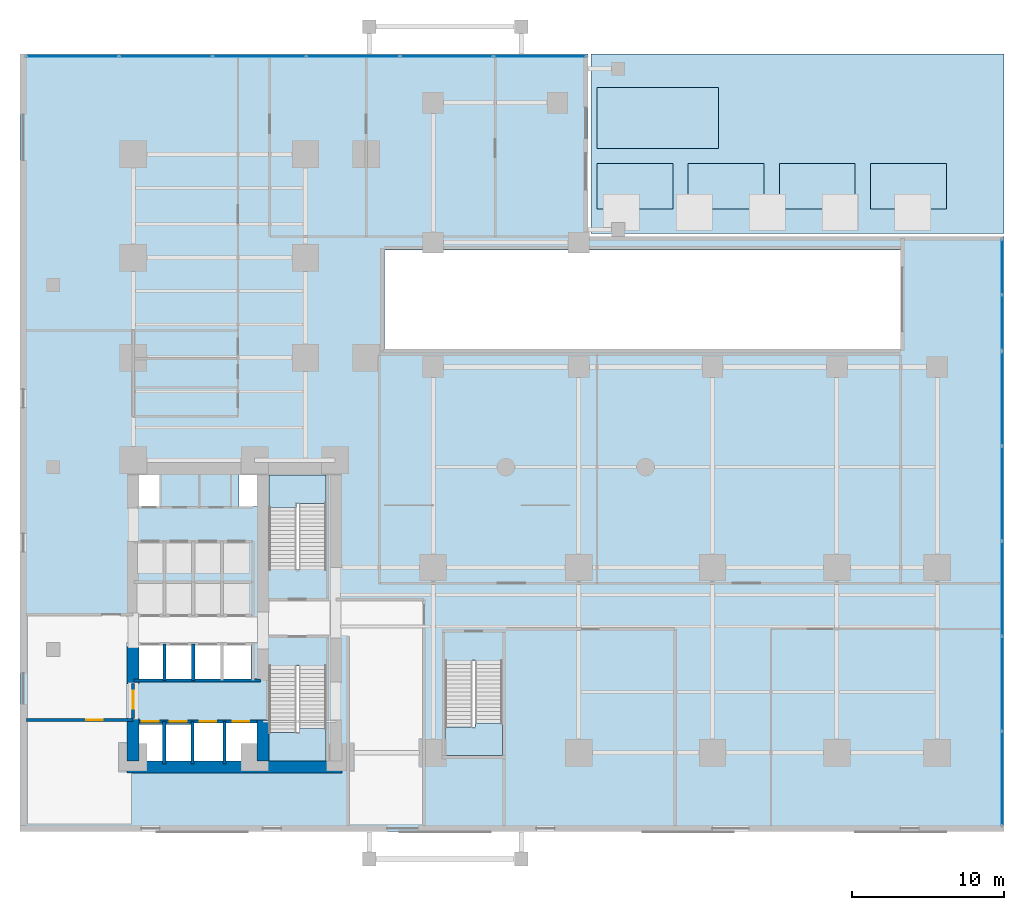
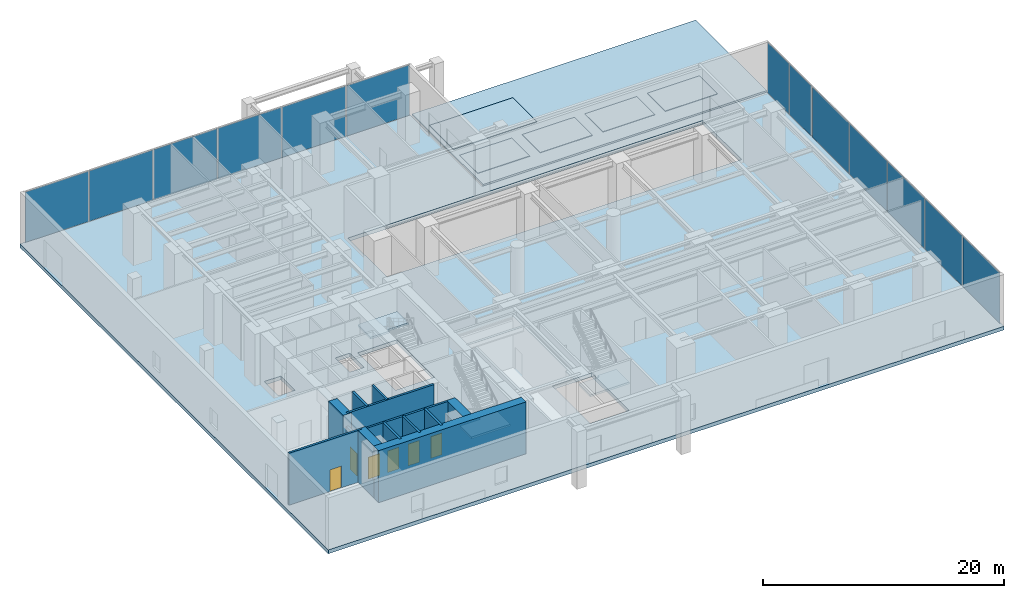
# One storey, part 10 of 17: 13 plates, 13 walls, 10 slabs, 6 doors, 6 openings, 6 elements without a shape of their own.
"""IFC4 building model written with IfcOpenShell, lengths in metres."""

from ifc_helpers import new_model, si_unit, direction, frame, frame_2d, origin, origin_with_axes, origin_2d, place, context, subcontext, project, spatial, polyline, rectangle, outline, extrude, source, transform, mapped, material, layer, layer_set, type_object, element, fill, aggregate, save


model = new_model("IFC4")

# Units and contexts
model_context = context("Model", 3, precision=1e-05, world=origin(), true_north=direction((0.0, 1.0)))
body_context = subcontext(model_context, "Body", "Model", "MODEL_VIEW")
ifc_project = project(units=[si_unit("LENGTHUNIT", "METRE"), si_unit("AREAUNIT", "SQUARE_METRE"), si_unit("VOLUMEUNIT", "CUBIC_METRE"), si_unit("PLANEANGLEUNIT", "RADIAN"), si_unit("MASSUNIT", "GRAM", prefix="KILO")], contexts=[model_context])

# Site, building, storey
site_placement = place(None, origin())
site = spatial("IfcSite", under=ifc_project, at=site_placement, CompositionType="ELEMENT")
building_placement = place(site_placement, origin())
building = spatial("IfcBuilding", under=site, at=building_placement, Name="Kolvaren Waterfront Exchange", CompositionType="ELEMENT")
storey_placement = place(building_placement, origin())
storey = spatial("IfcBuildingStorey", under=building, at=storey_placement, Name="L01", CompositionType="ELEMENT", Elevation=0.0)

# Stair, slab
ifc_material_1 = material(Name="Concrete C40/50", Category="concrete")
stair_type = type_object("IfcStairType", Name="ARC-STAIR-5600", PredefinedType="HALF_TURN_STAIR", material=ifc_material_1)
stair_1_placement = place(storey_placement, origin())
stair_1 = element("IfcStair", 1, at=stair_1_placement, inside=storey, type_object=stair_type, Name="L01 Smoke-proof exit stair ST1", PredefinedType="HALF_TURN_STAIR")
ifc_layer_1 = layer(ifc_material_1, 0.199951171875, Name="Concrete C40/50")
ifc_layer_set_1 = layer_set([ifc_layer_1], Name="Concrete C40/50")
slab_type_1 = type_object("IfcSlabType", Name="STR-LANDING-200", PredefinedType="LANDING", material=ifc_layer_set_1)
slab_1_placement = place(storey_placement, frame((0.0, 0.0, 2.679931640625)))
slab_1 = element("IfcSlab", 2, at=slab_1_placement, type_object=slab_type_1, Name="ST1 landing 1", PredefinedType="LANDING", context=body_context, shape_type="SweptSolid", body=[
    extrude(outline(polyline([(16.39990234375, 6.5400390625), (16.39990234375, 4.64990234375), (20.159912109375, 4.64990234375), (20.159912109375, 6.800048828125), (18.360107421875, 6.800048828125), (18.360107421875, 6.5400390625), (16.39990234375, 6.5400390625)])), origin(), (0.0, 0.0, 1.0), 0.199951171875),
])
aggregate(stair_1, [slab_1])

stair_2_placement = place(storey_placement, origin())
stair_2 = element("IfcStair", 3, at=stair_2_placement, inside=storey, type_object=stair_type, Name="L01 Smoke-proof exit stair ST2", PredefinedType="HALF_TURN_STAIR")
slab_2_placement = place(storey_placement, frame((0.0, 0.0, 2.679931640625)))
slab_2 = element("IfcSlab", 4, at=slab_2_placement, type_object=slab_type_1, Name="ST2 landing 1", PredefinedType="LANDING", context=body_context, shape_type="SweptSolid", body=[
    extrude(outline(polyline([(20.159912109375, 21.610107421875), (20.159912109375, 23.5), (16.39990234375, 23.5), (16.39990234375, 21.35009765625), (18.199951171875, 21.35009765625), (18.199951171875, 21.610107421875), (20.159912109375, 21.610107421875)])), origin(), (0.0, 0.0, 1.0), 0.199951171875),
])
aggregate(stair_2, [slab_2])

stair_3_placement = place(storey_placement, origin())
stair_3 = element("IfcStair", 5, at=stair_3_placement, inside=storey, type_object=stair_type, Name="L01 Exit stair ST3", PredefinedType="HALF_TURN_STAIR")
slab_3_placement = place(storey_placement, frame((0.0, 0.0, 2.679931640625)))
slab_3 = element("IfcSlab", 6, at=slab_3_placement, type_object=slab_type_1, Name="ST3 landing 1", PredefinedType="LANDING", context=body_context, shape_type="SweptSolid", body=[
    extrude(outline(polyline([(28.0, 6.889892578125), (28.0, 5.0), (31.760009765625, 5.0), (31.760009765625, 7.14990234375), (29.9599609375, 7.14990234375), (29.9599609375, 6.889892578125), (28.0, 6.889892578125)])), origin(), (0.0, 0.0, 1.0), 0.199951171875),
])
aggregate(stair_3, [slab_3])

# Slabs
ifc_material_2 = material(Name="Precast concrete C40/50", Category="concrete")
ifc_layer_2 = layer(ifc_material_2, 0.179931640625, Name="Precast concrete C40/50")
ifc_layer_set_2 = layer_set([ifc_layer_2], Name="Precast concrete C40/50")
slab_type_2 = type_object("IfcSlabType", Name="STR-PAVE-180", PredefinedType="USERDEFINED", material=ifc_layer_set_2)
slab_4_placement = place(storey_placement, frame((0.0, 0.0, -0.179931640625)))
element("IfcSlab", 7, at=slab_4_placement, inside=storey, type_object=slab_type_2, Name="L01 Red River Waterfront Quay Promenade paving", ObjectType="PAVING", PredefinedType="USERDEFINED", context=body_context, shape_type="SweptSolid", body=[
    extrude(outline(polyline([(37.60009765625, 39.39990234375), (64.800048828125, 39.39990234375), (64.800048828125, 51.199951171875), (37.60009765625, 51.199951171875), (37.60009765625, 39.39990234375)])), origin(), (0.0, 0.0, 1.0), 0.179931640625),
])
slab_5_placement = place(storey_placement, origin())
element("IfcSlab", 8, at=slab_5_placement, inside=storey, type_object=slab_type_2, Name="Waterfront quay granite walkway panel 1", ObjectType="PAVING", PredefinedType="USERDEFINED", context=body_context, shape_type="SweptSolid", body=[
    extrude(outline(polyline([(38.0, 41.0), (43.0, 41.0), (43.0, 44.0), (38.0, 44.0), (38.0, 41.0)])), origin(), (0.0, 0.0, 1.0), 0.0400390625),
])
slab_6_placement = place(storey_placement, origin())
element("IfcSlab", 9, at=slab_6_placement, inside=storey, type_object=slab_type_2, Name="Waterfront quay granite walkway panel 2", ObjectType="PAVING", PredefinedType="USERDEFINED", context=body_context, shape_type="SweptSolid", body=[
    extrude(outline(polyline([(44.0, 41.0), (49.0, 41.0), (49.0, 44.0), (44.0, 44.0), (44.0, 41.0)])), origin(), (0.0, 0.0, 1.0), 0.0400390625),
])
slab_7_placement = place(storey_placement, origin())
element("IfcSlab", 10, at=slab_7_placement, inside=storey, type_object=slab_type_2, Name="Waterfront quay granite walkway panel 3", ObjectType="PAVING", PredefinedType="USERDEFINED", context=body_context, shape_type="SweptSolid", body=[
    extrude(outline(polyline([(50.0, 41.0), (55.0, 41.0), (55.0, 44.0), (50.0, 44.0), (50.0, 41.0)])), origin(), (0.0, 0.0, 1.0), 0.0400390625),
])
slab_8_placement = place(storey_placement, origin())
element("IfcSlab", 11, at=slab_8_placement, inside=storey, type_object=slab_type_2, Name="Waterfront quay granite walkway panel 4", ObjectType="PAVING", PredefinedType="USERDEFINED", context=body_context, shape_type="SweptSolid", body=[
    extrude(outline(polyline([(56.0, 41.0), (61.0, 41.0), (61.0, 44.0), (56.0, 44.0), (56.0, 41.0)])), origin(), (0.0, 0.0, 1.0), 0.0400390625),
])
slab_9_placement = place(storey_placement, origin())
element("IfcSlab", 12, at=slab_9_placement, inside=storey, type_object=slab_type_2, Name="Waterfront quay granite walkway panel 5", ObjectType="PAVING", PredefinedType="USERDEFINED", context=body_context, shape_type="SweptSolid", body=[
    extrude(outline(polyline([(38.0, 45.0), (46.0, 45.0), (46.0, 49.0), (38.0, 49.0), (38.0, 45.0)])), origin(), (0.0, 0.0, 1.0), 0.0400390625),
])
ifc_layer_3 = layer(ifc_material_1, 0.3798828125, Name="Concrete C40/50")
ifc_layer_set_3 = layer_set([ifc_layer_3], Name="Concrete C40/50")
slab_type_3 = type_object("IfcSlabType", Name="STR-SLAB-380", PredefinedType="FLOOR", material=ifc_layer_set_3)
slab_10_placement = place(storey_placement, frame((0.0, 0.0, -0.3798828125)))
element("IfcSlab", 13, at=slab_10_placement, inside=storey, type_object=slab_type_3, Name="L01 structural floor slab", PredefinedType="FLOOR", context=body_context, shape_type="SweptSolid", body=[
    extrude(outline(polyline([(0.0, 0.0), (64.800048828125, 0.0), (64.800048828125, 39.199951171875), (37.39990234375, 39.199951171875), (37.39990234375, 51.199951171875), (0.0, 51.199951171875), (0.0, 0.0)]), holes=[polyline([(11.320068359375, 7.260009765625), (15.610107421875, 7.260009765625), (15.610107421875, 4.5400390625), (7.719970703125, 4.5400390625), (7.719970703125, 7.06005859375), (11.320068359375, 7.06005859375), (11.320068359375, 7.260009765625)]), polyline([(20.159912109375, 10.89990234375), (20.159912109375, 4.64990234375), (16.39990234375, 4.64990234375), (16.39990234375, 10.89990234375), (20.159912109375, 10.89990234375)]), polyline([(31.760009765625, 11.25), (31.760009765625, 5.0), (28.0, 5.0), (28.0, 11.25), (31.760009765625, 11.25)]), polyline([(15.2099609375, 10.0400390625), (7.6201171875, 10.0400390625), (7.6201171875, 12.360107421875), (15.2099609375, 12.360107421875), (15.2099609375, 10.0400390625)]), polyline([(16.39990234375, 17.25), (16.39990234375, 23.5), (20.159912109375, 23.5), (20.159912109375, 17.25), (16.39990234375, 17.25)]), polyline([(7.60009765625, 23.780029296875), (9.179931640625, 23.780029296875), (9.179931640625, 21.419921875), (7.60009765625, 21.419921875), (7.60009765625, 23.780029296875)]), polyline([(14.419921875, 23.780029296875), (15.800048828125, 23.780029296875), (15.800048828125, 21.419921875), (14.419921875, 21.419921875), (14.419921875, 23.780029296875)]), polyline([(24.0, 38.300048828125), (58.0, 38.300048828125), (58.0, 31.800048828125), (24.0, 31.800048828125), (24.0, 38.300048828125)])]), origin(), (0.0, 0.0, 1.0), 0.3798828125),
])

# Curtain wall, plates
ifc_material_3 = material(Name="Anodised bronze aluminium 6063-T6", Category="aluminium")
ifc_layer_4 = layer(ifc_material_3, 0.219970703125, Name="Anodised bronze aluminium 6063-T6")
ifc_layer_set_4 = layer_set([ifc_layer_4], Name="Anodised bronze aluminium 6063-T6")
curtain_wall_type = type_object("IfcCurtainWallType", Name="ARC-CW-SYS4", PredefinedType="USERDEFINED", material=ifc_layer_set_4)
curtain_wall_1_placement = place(storey_placement, origin())
curtain_wall_1 = element("IfcCurtainWall", 14, at=curtain_wall_1_placement, inside=storey, type_object=curtain_wall_type, Name="L01 stick curtain wall CW4 (CW-L01-E1)", ObjectType="STICK CURTAIN WALL", PredefinedType="USERDEFINED")
ifc_material_4 = material(Name="High-span laminated vision glass", Category="glass")
ifc_layer_5 = layer(ifc_material_4, 0.035888671875, Name="High-span laminated vision glass")
ifc_layer_set_5 = layer_set([ifc_layer_5], Name="High-span laminated vision glass")
plate_type = type_object("IfcPlateType", Name="ARC-CWP-36", PredefinedType="CURTAIN_PANEL", material=ifc_layer_set_5)
shared_shape_1 = source(origin_with_axes(), body_context, "Body", "SweptSolid", [
    extrude(rectangle(XDim=6.139892578125, YDim=0.035888671875, at=origin_2d()), origin(), (0.0, 0.0, 1.0), 5.110107421875),
])
plate_1_placement = place(storey_placement, frame((64.659912109375, 3.5, 0.07470703125), z_axis=(0.0, 0.0, 1.0), x_axis=(0.0, 1.0, 0.0)))
plate_1 = element("IfcPlate", 15, at=plate_1_placement, type_object=plate_type, Name="CW4 panel 1.1", PredefinedType="CURTAIN_PANEL", context=body_context, shape_type="MappedRepresentation", body=[
    mapped(shared_shape_1, transform((0.0, 0.0, 0.0), x_axis=(1.0, 0.0, 0.0), y_axis=(0.0, 1.0, 0.0), z_axis=(0.0, 0.0, 1.0), scale=1.0)),
])
plate_2_placement = place(storey_placement, frame((64.659912109375, 28.5, 0.07470703125), z_axis=(0.0, 0.0, 1.0), x_axis=(0.0, 1.0, 0.0)))
plate_2 = element("IfcPlate", 16, at=plate_2_placement, type_object=plate_type, Name="CW4 panel 5.1", PredefinedType="CURTAIN_PANEL", context=body_context, shape_type="MappedRepresentation", body=[
    mapped(shared_shape_1, transform((0.0, 0.0, 0.0), x_axis=(1.0, 0.0, 0.0), y_axis=(0.0, 1.0, 0.0), z_axis=(0.0, 0.0, 1.0), scale=1.0)),
])
shared_shape_2 = source(origin_with_axes(), body_context, "Body", "SweptSolid", [
    extrude(rectangle(XDim=6.179931640625, YDim=0.035888671875, at=origin_2d()), origin(), (0.0, 0.0, 1.0), 5.110107421875),
])
plate_3_placement = place(storey_placement, frame((64.659912109375, 9.739990234375, 0.07470703125), z_axis=(0.0, 0.0, 1.0), x_axis=(0.0, 1.0, 0.0)))
plate_3 = element("IfcPlate", 17, at=plate_3_placement, type_object=plate_type, Name="CW4 panel 2.1", PredefinedType="CURTAIN_PANEL", context=body_context, shape_type="MappedRepresentation", body=[
    mapped(shared_shape_2, transform((0.0, 0.0, 0.0), x_axis=(1.0, 0.0, 0.0), y_axis=(0.0, 1.0, 0.0), z_axis=(0.0, 0.0, 1.0), scale=1.0)),
])
plate_4_placement = place(storey_placement, frame((64.659912109375, 16.0, 0.07470703125), z_axis=(0.0, 0.0, 1.0), x_axis=(0.0, 1.0, 0.0)))
plate_4 = element("IfcPlate", 18, at=plate_4_placement, type_object=plate_type, Name="CW4 panel 3.1", PredefinedType="CURTAIN_PANEL", context=body_context, shape_type="MappedRepresentation", body=[
    mapped(shared_shape_2, transform((0.0, 0.0, 0.0), x_axis=(1.0, 0.0, 0.0), y_axis=(0.0, 1.0, 0.0), z_axis=(0.0, 0.0, 1.0), scale=1.0)),
])
plate_5_placement = place(storey_placement, frame((64.659912109375, 22.260009765625, 0.07470703125), z_axis=(0.0, 0.0, 1.0), x_axis=(0.0, 1.0, 0.0)))
plate_5 = element("IfcPlate", 19, at=plate_5_placement, type_object=plate_type, Name="CW4 panel 4.1", PredefinedType="CURTAIN_PANEL", context=body_context, shape_type="MappedRepresentation", body=[
    mapped(shared_shape_2, transform((0.0, 0.0, 0.0), x_axis=(1.0, 0.0, 0.0), y_axis=(0.0, 1.0, 0.0), z_axis=(0.0, 0.0, 1.0), scale=1.0)),
])
aggregate(curtain_wall_1, [plate_1, plate_3, plate_4, plate_5, plate_2])

curtain_wall_2_placement = place(storey_placement, origin())
curtain_wall_2 = element("IfcCurtainWall", 20, at=curtain_wall_2_placement, inside=storey, type_object=curtain_wall_type, Name="L01 stick curtain wall CW4 (CW-L01-E1B)", ObjectType="STICK CURTAIN WALL", PredefinedType="USERDEFINED")
shared_shape_3 = source(origin_with_axes(), body_context, "Body", "SweptSolid", [
    extrude(rectangle(XDim=3.5849609375, YDim=0.035888671875, at=origin_2d()), origin(), (0.0, 0.0, 1.0), 5.110107421875),
])
plate_6_placement = place(storey_placement, frame((64.659912109375, 33.5224609375, 0.07470703125), z_axis=(0.0, 0.0, 1.0), x_axis=(0.0, 1.0, 0.0)))
plate_6 = element("IfcPlate", 21, at=plate_6_placement, type_object=plate_type, Name="CW4 panel 1.1", PredefinedType="CURTAIN_PANEL", context=body_context, shape_type="MappedRepresentation", body=[
    mapped(shared_shape_3, transform((0.0, 0.0, 0.0), x_axis=(1.0, 0.0, 0.0), y_axis=(0.0, 1.0, 0.0), z_axis=(0.0, 0.0, 1.0), scale=1.0)),
])
plate_7_placement = place(storey_placement, frame((64.659912109375, 37.1875, 0.07470703125), z_axis=(0.0, 0.0, 1.0), x_axis=(0.0, 1.0, 0.0)))
plate_7 = element("IfcPlate", 22, at=plate_7_placement, type_object=plate_type, Name="CW4 panel 2.1", PredefinedType="CURTAIN_PANEL", context=body_context, shape_type="MappedRepresentation", body=[
    mapped(shared_shape_3, transform((0.0, 0.0, 0.0), x_axis=(1.0, 0.0, 0.0), y_axis=(0.0, 1.0, 0.0), z_axis=(0.0, 0.0, 1.0), scale=1.0)),
])
aggregate(curtain_wall_2, [plate_6, plate_7])

curtain_wall_3_placement = place(storey_placement, origin())
curtain_wall_3 = element("IfcCurtainWall", 23, at=curtain_wall_3_placement, inside=storey, type_object=curtain_wall_type, Name="L01 stick curtain wall CW4 (CW-L01-N2)", ObjectType="STICK CURTAIN WALL", PredefinedType="USERDEFINED")
shared_shape_4 = source(origin_with_axes(), body_context, "Body", "SweptSolid", [
    extrude(rectangle(XDim=6.046630859375, YDim=0.035888671875, at=origin_2d()), origin(), (0.0, 0.0, 1.0), 5.110107421875),
])
plate_8_placement = place(storey_placement, frame((34.24658203125, 51.06005859375, 0.07470703125), z_axis=(0.0, 0.0, 1.0), x_axis=(-1.0, 0.0, 0.0)))
plate_8 = element("IfcPlate", 24, at=plate_8_placement, type_object=plate_type, Name="CW4 panel 1.1", PredefinedType="CURTAIN_PANEL", context=body_context, shape_type="MappedRepresentation", body=[
    mapped(shared_shape_4, transform((0.0, 0.0, 0.0), x_axis=(1.0, 0.0, 0.0), y_axis=(0.0, 1.0, 0.0), z_axis=(0.0, 0.0, 1.0), scale=1.0)),
])
plate_9_placement = place(storey_placement, frame((3.453369140625, 51.06005859375, 0.07470703125), z_axis=(0.0, 0.0, 1.0), x_axis=(-1.0, 0.0, 0.0)))
plate_9 = element("IfcPlate", 25, at=plate_9_placement, type_object=plate_type, Name="CW4 panel 6.1", PredefinedType="CURTAIN_PANEL", context=body_context, shape_type="MappedRepresentation", body=[
    mapped(shared_shape_4, transform((0.0, 0.0, 0.0), x_axis=(1.0, 0.0, 0.0), y_axis=(0.0, 1.0, 0.0), z_axis=(0.0, 0.0, 1.0), scale=1.0)),
])
shared_shape_5 = source(origin_with_axes(), body_context, "Body", "SweptSolid", [
    extrude(rectangle(XDim=6.086669921875, YDim=0.035888671875, at=origin_2d()), origin(), (0.0, 0.0, 1.0), 5.110107421875),
])
plate_10_placement = place(storey_placement, frame((28.10009765625, 51.06005859375, 0.07470703125), z_axis=(0.0, 0.0, 1.0), x_axis=(-1.0, 0.0, 0.0)))
plate_10 = element("IfcPlate", 26, at=plate_10_placement, type_object=plate_type, Name="CW4 panel 2.1", PredefinedType="CURTAIN_PANEL", context=body_context, shape_type="MappedRepresentation", body=[
    mapped(shared_shape_5, transform((0.0, 0.0, 0.0), x_axis=(1.0, 0.0, 0.0), y_axis=(0.0, 1.0, 0.0), z_axis=(0.0, 0.0, 1.0), scale=1.0)),
])
plate_11_placement = place(storey_placement, frame((21.933349609375, 51.06005859375, 0.07470703125), z_axis=(0.0, 0.0, 1.0), x_axis=(-1.0, 0.0, 0.0)))
plate_11 = element("IfcPlate", 27, at=plate_11_placement, type_object=plate_type, Name="CW4 panel 3.1", PredefinedType="CURTAIN_PANEL", context=body_context, shape_type="MappedRepresentation", body=[
    mapped(shared_shape_5, transform((0.0, 0.0, 0.0), x_axis=(1.0, 0.0, 0.0), y_axis=(0.0, 1.0, 0.0), z_axis=(0.0, 0.0, 1.0), scale=1.0)),
])
plate_12_placement = place(storey_placement, frame((15.7666015625, 51.06005859375, 0.07470703125), z_axis=(0.0, 0.0, 1.0), x_axis=(-1.0, 0.0, 0.0)))
plate_12 = element("IfcPlate", 28, at=plate_12_placement, type_object=plate_type, Name="CW4 panel 4.1", PredefinedType="CURTAIN_PANEL", context=body_context, shape_type="MappedRepresentation", body=[
    mapped(shared_shape_5, transform((0.0, 0.0, 0.0), x_axis=(1.0, 0.0, 0.0), y_axis=(0.0, 1.0, 0.0), z_axis=(0.0, 0.0, 1.0), scale=1.0)),
])
plate_13_placement = place(storey_placement, frame((9.60009765625, 51.06005859375, 0.07470703125), z_axis=(0.0, 0.0, 1.0), x_axis=(-1.0, 0.0, 0.0)))
plate_13 = element("IfcPlate", 29, at=plate_13_placement, type_object=plate_type, Name="CW4 panel 5.1", PredefinedType="CURTAIN_PANEL", context=body_context, shape_type="MappedRepresentation", body=[
    mapped(shared_shape_5, transform((0.0, 0.0, 0.0), x_axis=(1.0, 0.0, 0.0), y_axis=(0.0, 1.0, 0.0), z_axis=(0.0, 0.0, 1.0), scale=1.0)),
])
aggregate(curtain_wall_3, [plate_8, plate_10, plate_11, plate_12, plate_13, plate_9])

# Wall
ifc_layer_6 = layer(ifc_material_2, 0.199951171875, Name="Precast concrete C40/50")
ifc_layer_set_6 = layer_set([ifc_layer_6], Name="Precast concrete C40/50")
wall_type_1 = type_object("IfcWallType", Name="ARC-FIRE-200", PredefinedType="PARTITIONING", material=ifc_layer_set_6)
wall_1_placement = place(storey_placement, frame((7.5, 9.949951171875, 0.0), z_axis=(0.0, 0.0, 1.0), x_axis=(1.0, 0.0, 0.0)))
element("IfcWall", 30, at=wall_1_placement, inside=storey, type_object=wall_type_1, Name="L01 interior wall PW-L01-FF-N", PredefinedType="PARTITIONING", context=body_context, shape_type="SweptSolid", body=[
    extrude(rectangle(XDim=8.35009765625, YDim=0.199951171875, at=frame_2d((4.175048828125, 0.0))), origin(), (0.0, 0.0, 1.0), 5.260009765625),
])

# Wall, opening, door
wall_2_placement = place(storey_placement, frame((7.449951171875, 7.449951171875, 0.0), z_axis=(0.0, 0.0, 1.0), x_axis=(0.0, 1.0, 0.0)))
wall_2 = element("IfcWall", 31, at=wall_2_placement, inside=storey, type_object=wall_type_1, Name="L01 interior wall PW-L01-FF-W-DOOR", PredefinedType="PARTITIONING", context=body_context, shape_type="SweptSolid", body=[
    extrude(rectangle(XDim=2.300048828125, YDim=0.199951171875, at=frame_2d((1.14990234375, 0.0))), origin(), (0.0, 0.0, 1.0), 4.0400390625),
])
opening_1_placement = place(wall_2_placement, frame((0.63330078125, 0.0, 0.0)))
opening_1 = element("IfcOpeningElement", 32, at=opening_1_placement, cuts=wall_2, Name="Opening FD3", PredefinedType="OPENING", context=body_context, shape_type="SweptSolid", body=[
    extrude(rectangle(XDim=1.199951171875, YDim=2.25, at=frame_2d((0.60009765625, 1.125))), frame((0.0, 0.10986328125, 0.0), z_axis=(0.0, -1.0, 0.0), x_axis=(1.0, 0.0, 0.0)), (0.0, 0.0, 1.0), 0.219970703125),
])
ifc_material_5 = material(Name="Pressed steel fire door", Category="steel")
door_type_1 = type_object("IfcDoorType", Name="ARC-FD-1200", OperationType="NOTDEFINED", PredefinedType="DOOR", material=ifc_material_5)
door_1_placement = place(opening_1_placement, frame((1.199951171875, 0.0, 0.0), z_axis=(0.0, 0.0, 1.0), x_axis=(-1.0, 0.0, 0.0)))
door_1 = element("IfcDoor", 33, at=door_1_placement, inside=storey, type_object=door_type_1, Name="L01 door DR-L01-FF-OUT (FD3)", OperationType="SINGLE_SWING_LEFT", OverallHeight=2.25, OverallWidth=1.199951171875, PredefinedType="DOOR", context=body_context, shape_type="SweptSolid", body=[
    extrude(rectangle(XDim=1.199951171875, YDim=2.25, at=frame_2d((0.60009765625, 1.125))), frame((0.0, 0.02490234375, 0.0), z_axis=(0.0, -1.0, 0.0), x_axis=(1.0, 0.0, 0.0)), (0.0, 0.0, 1.0), 0.050048828125),
])
fill(opening_1, door_1)

wall_3_placement = place(storey_placement, frame((0.419921875, 7.35009765625, 0.0), z_axis=(0.0, 0.0, 1.0), x_axis=(1.0, 0.0, 0.0)))
wall_3 = element("IfcWall", 34, at=wall_3_placement, inside=storey, type_object=wall_type_1, Name="L01 interior wall PW-L01-PEX-W-S", PredefinedType="PARTITIONING", context=body_context, shape_type="SweptSolid", body=[
    extrude(rectangle(XDim=7.030029296875, YDim=0.199951171875, at=frame_2d((3.51513671875, 0.0))), origin(), (0.0, 0.0, 1.0), 5.260009765625),
])
opening_2_placement = place(wall_3_placement, frame((3.929931640625, 0.0, 0.0)))
opening_2 = element("IfcOpeningElement", 35, at=opening_2_placement, cuts=wall_3, Name="Opening FD2", PredefinedType="OPENING", context=body_context, shape_type="SweptSolid", body=[
    extrude(rectangle(XDim=1.10009765625, YDim=2.199951171875, at=frame_2d((0.550048828125, 1.10009765625))), frame((0.0, 0.10986328125, 0.0), z_axis=(0.0, -1.0, 0.0), x_axis=(1.0, 0.0, 0.0)), (0.0, 0.0, 1.0), 0.219970703125),
])
ifc_material_6 = material(Name="Pressed steel smoke-seal fire door", Category="steel")
door_type_2 = type_object("IfcDoorType", Name="ARC-FD-1100", OperationType="NOTDEFINED", PredefinedType="DOOR", material=ifc_material_6)
door_2_placement = place(opening_2_placement, origin())
door_2 = element("IfcDoor", 36, at=door_2_placement, inside=storey, type_object=door_type_2, Name="L01 door DR-L01-L01-WSVC-D (FD2)", OperationType="SINGLE_SWING_LEFT", OverallHeight=2.199951171875, OverallWidth=1.10009765625, PredefinedType="DOOR", context=body_context, shape_type="SweptSolid", body=[
    extrude(rectangle(XDim=1.10009765625, YDim=2.199951171875, at=frame_2d((0.550048828125, 1.10009765625))), frame((0.0, 0.02490234375, 0.0), z_axis=(0.0, -1.0, 0.0), x_axis=(1.0, 0.0, 0.0)), (0.0, 0.0, 1.0), 0.050048828125),
])
fill(opening_2, door_2)

# Wall, openings, doors
ifc_layer_7 = layer(ifc_material_1, 0.199951171875, Name="Concrete C40/50")
ifc_layer_set_7 = layer_set([ifc_layer_7], Name="Concrete C40/50")
wall_type_2 = type_object("IfcWallType", Name="ARC-SHAFT-200", PredefinedType="PARTITIONING", material=ifc_layer_set_7)
wall_4_placement = place(storey_placement, frame((7.5, 7.25, 0.0), z_axis=(0.0, 0.0, 1.0), x_axis=(1.0, 0.0, 0.0)))
wall_4 = element("IfcWall", 37, at=wall_4_placement, inside=storey, type_object=wall_type_2, Name="L01 interior wall PW-L01-FF-S", PredefinedType="PARTITIONING", context=body_context, shape_type="SweptSolid", body=[
    extrude(rectangle(XDim=8.35009765625, YDim=0.199951171875, at=frame_2d((4.175048828125, 0.0))), origin(), (0.0, 0.0, 1.0), 5.260009765625),
])
opening_3_placement = place(wall_4_placement, frame((0.530029296875, 0.0, 0.0)))
opening_3 = element("IfcOpeningElement", 38, at=opening_3_placement, cuts=wall_4, Name="Opening LD1", PredefinedType="OPENING", context=body_context, shape_type="SweptSolid", body=[
    extrude(rectangle(XDim=1.10009765625, YDim=2.199951171875, at=frame_2d((0.550048828125, 1.10009765625))), frame((0.0, 0.10986328125, 0.0), z_axis=(0.0, -1.0, 0.0), x_axis=(1.0, 0.0, 0.0)), (0.0, 0.0, 1.0), 0.219970703125),
])
opening_4_placement = place(wall_4_placement, frame((2.3701171875, 0.0, 0.0)))
opening_4 = element("IfcOpeningElement", 39, at=opening_4_placement, cuts=wall_4, Name="Opening LD1", PredefinedType="OPENING", context=body_context, shape_type="SweptSolid", body=[
    extrude(rectangle(XDim=1.10009765625, YDim=2.199951171875, at=frame_2d((0.550048828125, 1.10009765625))), frame((0.0, 0.10986328125, 0.0), z_axis=(0.0, -1.0, 0.0), x_axis=(1.0, 0.0, 0.0)), (0.0, 0.0, 1.0), 0.219970703125),
])
opening_5_placement = place(wall_4_placement, frame((4.330078125, 0.0, 0.0)))
opening_5 = element("IfcOpeningElement", 40, at=opening_5_placement, cuts=wall_4, Name="Opening LD1", PredefinedType="OPENING", context=body_context, shape_type="SweptSolid", body=[
    extrude(rectangle(XDim=1.10009765625, YDim=2.199951171875, at=frame_2d((0.550048828125, 1.10009765625))), frame((0.0, 0.10986328125, 0.0), z_axis=(0.0, -1.0, 0.0), x_axis=(1.0, 0.0, 0.0)), (0.0, 0.0, 1.0), 0.219970703125),
])
opening_6_placement = place(wall_4_placement, frame((6.5, 0.0, 0.0)))
opening_6 = element("IfcOpeningElement", 41, at=opening_6_placement, cuts=wall_4, Name="Opening LD1", PredefinedType="OPENING", context=body_context, shape_type="SweptSolid", body=[
    extrude(rectangle(XDim=1.10009765625, YDim=2.199951171875, at=frame_2d((0.550048828125, 1.10009765625))), frame((0.0, 0.10986328125, 0.0), z_axis=(0.0, -1.0, 0.0), x_axis=(1.0, 0.0, 0.0)), (0.0, 0.0, 1.0), 0.219970703125),
])
ifc_material_7 = material(Name="Stainless steel sliding landing door", Category="steel")
door_type_3 = type_object("IfcDoorType", Name="ARC-LD-FF", OperationType="SLIDING_TO_LEFT", PredefinedType="DOOR", material=ifc_material_7)
door_3_placement = place(opening_3_placement, origin())
door_3 = element("IfcDoor", 42, at=door_3_placement, inside=storey, type_object=door_type_3, Name="L01 door LD-L01-FFL1 (LD1)", OperationType="SLIDING_TO_LEFT", OverallHeight=2.199951171875, OverallWidth=1.10009765625, PredefinedType="DOOR", context=body_context, shape_type="SweptSolid", body=[
    extrude(rectangle(XDim=1.10009765625, YDim=2.199951171875, at=frame_2d((0.550048828125, 1.10009765625))), frame((0.0, 0.02490234375, 0.0), z_axis=(0.0, -1.0, 0.0), x_axis=(1.0, 0.0, 0.0)), (0.0, 0.0, 1.0), 0.050048828125),
])
fill(opening_3, door_3)
door_4_placement = place(opening_4_placement, origin())
door_4 = element("IfcDoor", 43, at=door_4_placement, inside=storey, type_object=door_type_3, Name="L01 door LD-L01-FFL2 (LD1)", OperationType="SLIDING_TO_LEFT", OverallHeight=2.199951171875, OverallWidth=1.10009765625, PredefinedType="DOOR", context=body_context, shape_type="SweptSolid", body=[
    extrude(rectangle(XDim=1.10009765625, YDim=2.199951171875, at=frame_2d((0.550048828125, 1.10009765625))), frame((0.0, 0.02490234375, 0.0), z_axis=(0.0, -1.0, 0.0), x_axis=(1.0, 0.0, 0.0)), (0.0, 0.0, 1.0), 0.050048828125),
])
fill(opening_4, door_4)
door_5_placement = place(opening_5_placement, origin())
door_5 = element("IfcDoor", 44, at=door_5_placement, inside=storey, type_object=door_type_3, Name="L01 door LD-L01-GL1 (LD1)", OperationType="SLIDING_TO_LEFT", OverallHeight=2.199951171875, OverallWidth=1.10009765625, PredefinedType="DOOR", context=body_context, shape_type="SweptSolid", body=[
    extrude(rectangle(XDim=1.10009765625, YDim=2.199951171875, at=frame_2d((0.550048828125, 1.10009765625))), frame((0.0, 0.02490234375, 0.0), z_axis=(0.0, -1.0, 0.0), x_axis=(1.0, 0.0, 0.0)), (0.0, 0.0, 1.0), 0.050048828125),
])
fill(opening_5, door_5)
door_6_placement = place(opening_6_placement, origin())
door_6 = element("IfcDoor", 45, at=door_6_placement, inside=storey, type_object=door_type_3, Name="L01 door LD-L01-GL2 (LD1)", OperationType="SLIDING_TO_LEFT", OverallHeight=2.199951171875, OverallWidth=1.10009765625, PredefinedType="DOOR", context=body_context, shape_type="SweptSolid", body=[
    extrude(rectangle(XDim=1.10009765625, YDim=2.199951171875, at=frame_2d((0.550048828125, 1.10009765625))), frame((0.0, 0.02490234375, 0.0), z_axis=(0.0, -1.0, 0.0), x_axis=(1.0, 0.0, 0.0)), (0.0, 0.0, 1.0), 0.050048828125),
])
fill(opening_6, door_6)

# Walls
for number, where, z_axis, x_axis, name in (
    (46, (9.5, 4.449951171875, 0.0), (0.0, 0.0, 1.0), (0.0, 1.0, 0.0), "L01 interior wall PW-L01-SH1-DIV-95"),
    (47, (11.360107421875, 4.449951171875, 0.0), (0.0, 0.0, 1.0), (0.0, 1.0, 0.0), "L01 interior wall PW-L01-SH1-DIV-113"),
    (48, (13.4599609375, 4.449951171875, 0.0), (0.0, 0.0, 1.0), (0.0, 1.0, 0.0), "L01 interior wall PW-L01-SH1-DIV-134"),
):
    element("IfcWall", number, at=place(storey_placement, frame(where, z_axis=z_axis, x_axis=x_axis)), inside=storey, type_object=wall_type_2, Name=name, PredefinedType="PARTITIONING", context=body_context, shape_type="SweptSolid", body=[
        extrude(rectangle(XDim=2.800048828125, YDim=0.199951171875, at=frame_2d((1.39990234375, 0.0))), origin(), (0.0, 0.0, 1.0), 5.260009765625),
    ])
for number, where, z_axis, x_axis, name in (
    (49, (9.52001953125, 9.949951171875, 0.0), (0.0, 0.0, 1.0), (0.0, 1.0, 0.0), "L01 interior wall PW-L01-SH2-DIV-95"),
    (50, (11.409912109375, 9.949951171875, 0.0), (0.0, 0.0, 1.0), (0.0, 1.0, 0.0), "L01 interior wall PW-L01-SH2-DIV-114"),
):
    element("IfcWall", number, at=place(storey_placement, frame(where, z_axis=z_axis, x_axis=x_axis)), inside=storey, type_object=wall_type_2, Name=name, PredefinedType="PARTITIONING", context=body_context, shape_type="SweptSolid", body=[
        extrude(rectangle(XDim=2.41015625, YDim=0.199951171875, at=frame_2d((1.205078125, 0.0))), origin(), (0.0, 0.0, 1.0), 5.260009765625),
    ])
ifc_material_8 = material(Name="Concrete C70/85", Category="concrete")
ifc_layer_8 = layer(ifc_material_8, 0.800048828125, Name="Concrete C70/85")
ifc_layer_set_8 = layer_set([ifc_layer_8], Name="Concrete C70/85")
wall_type_3 = type_object("IfcWallType", Name="STR-CWALL-800", PredefinedType="SHEAR", material=ifc_layer_set_8)
wall_5_placement = place(storey_placement, frame((7.050048828125, 4.25, 0.0), z_axis=(0.0, 0.0, 1.0), x_axis=(1.0, 0.0, 0.0)))
element("IfcWall", 51, at=wall_5_placement, inside=storey, type_object=wall_type_3, Name="L01 rear-core shear wall S", PredefinedType="SHEAR", context=body_context, shape_type="SweptSolid", body=[
    extrude(rectangle(XDim=14.14990234375, YDim=0.800048828125, at=frame_2d((7.074951171875, 0.0))), origin(), (0.0, 0.0, 1.0), 5.260009765625),
])
wall_6_placement = place(storey_placement, frame((7.449951171875, 4.64990234375, 0.0), z_axis=(0.0, 0.0, 1.0), x_axis=(0.0, 1.0, 0.0)))
element("IfcWall", 52, at=wall_6_placement, inside=storey, type_object=wall_type_3, Name="L01 rear-core shear wall W1", PredefinedType="SHEAR", context=body_context, shape_type="SweptSolid", body=[
    extrude(rectangle(XDim=2.800048828125, YDim=0.800048828125, at=frame_2d((1.39990234375, 0.0))), origin(), (0.0, 0.0, 1.0), 5.260009765625),
])
wall_7_placement = place(storey_placement, frame((7.449951171875, 9.75, 0.0), z_axis=(0.0, 0.0, 1.0), x_axis=(0.0, 1.0, 0.0)))
element("IfcWall", 53, at=wall_7_placement, inside=storey, type_object=wall_type_3, Name="L01 rear-core shear wall W2A", PredefinedType="SHEAR", context=body_context, shape_type="SweptSolid", body=[
    extrude(rectangle(XDim=2.39990234375, YDim=0.800048828125, at=frame_2d((1.199951171875, 0.0))), origin(), (0.0, 0.0, 1.0), 5.260009765625),
])
wall_8_placement = place(storey_placement, frame((16.0, 4.64990234375, 0.0), z_axis=(0.0, 0.0, 1.0), x_axis=(0.0, 1.0, 0.0)))
element("IfcWall", 54, at=wall_8_placement, inside=storey, type_object=wall_type_3, Name="L01 rear-core shear wall M1", PredefinedType="SHEAR", context=body_context, shape_type="SweptSolid", body=[
    extrude(rectangle(XDim=2.7001953125, YDim=0.800048828125, at=frame_2d((1.35009765625, 0.0))), origin(), (0.0, 0.0, 1.0), 5.260009765625),
])

save(model, "model.ifc")
